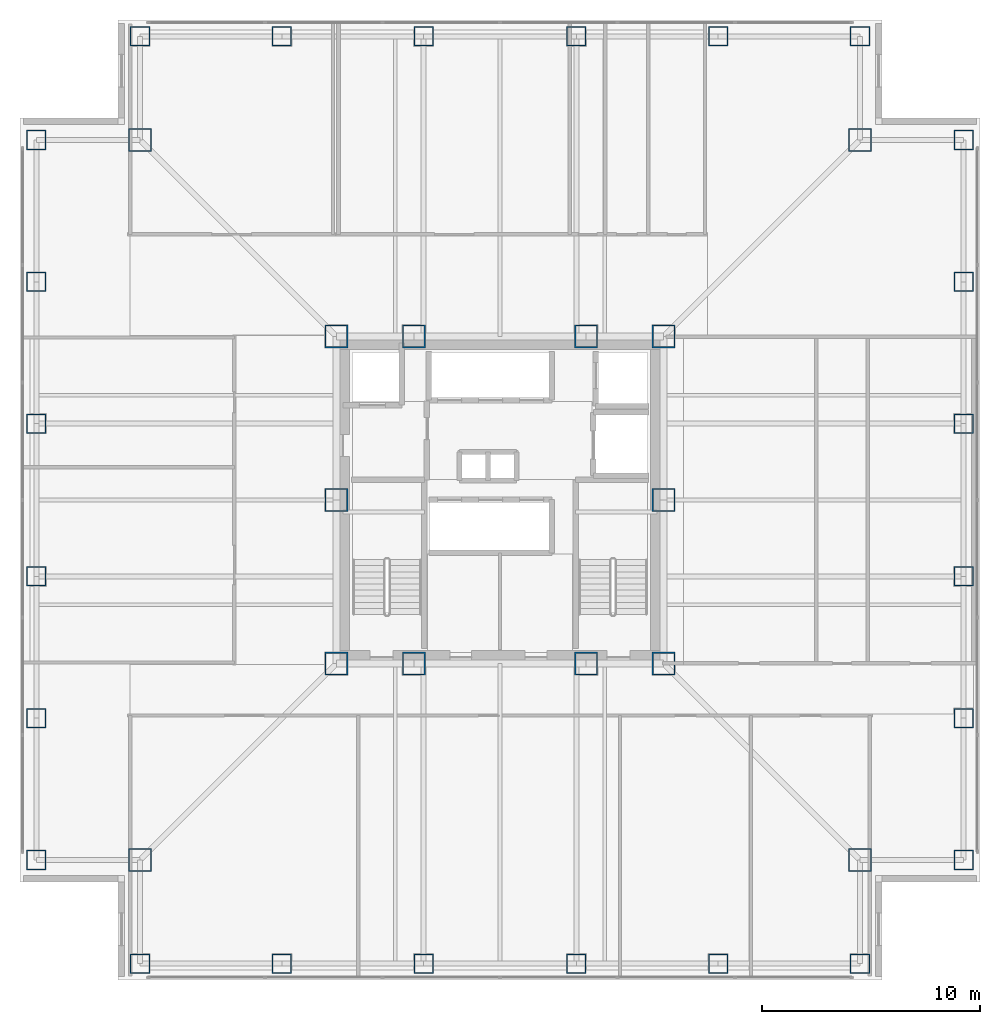
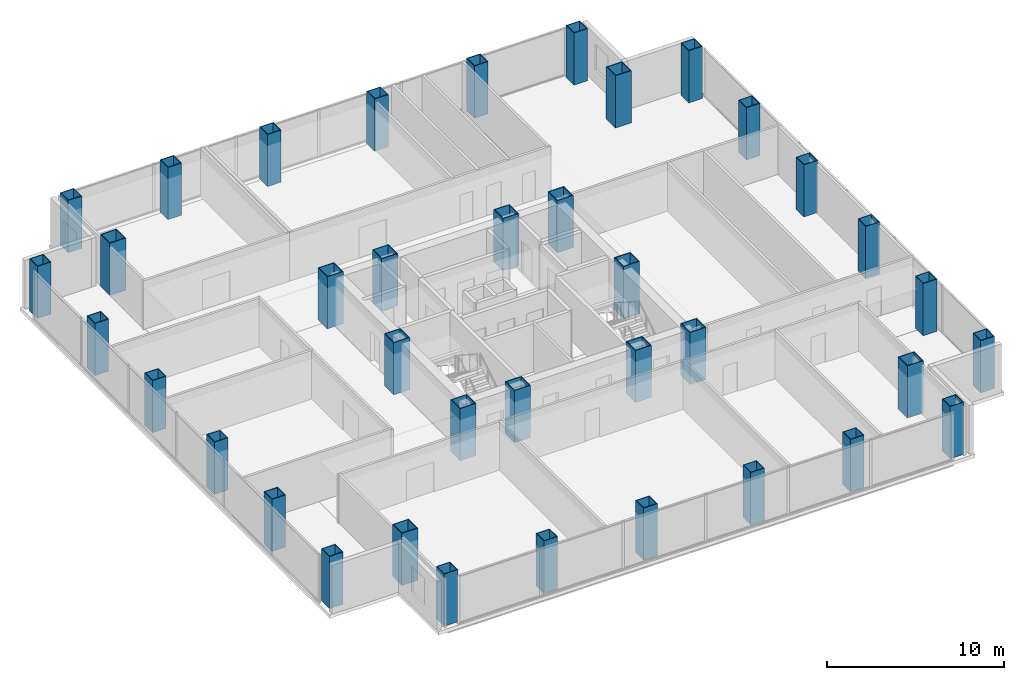
# One storey, part 1 of 14: 38 columns.
"""IFC4 building model written with IfcOpenShell, lengths in metres."""

from ifc_helpers import new_model, si_unit, direction, frame, origin, origin_2d, place, context, subcontext, project, spatial, hollow_rectangle, extrude, material, material_profile, profile_set, type_object, element, save


model = new_model("IFC4")

# Units and contexts
model_context = context("Model", 3, precision=1e-05, world=origin(), true_north=direction((0.0, 1.0)))
body_context = subcontext(model_context, "Body", "Model", "MODEL_VIEW")
ifc_project = project(units=[si_unit("LENGTHUNIT", "METRE"), si_unit("AREAUNIT", "SQUARE_METRE"), si_unit("VOLUMEUNIT", "CUBIC_METRE"), si_unit("PLANEANGLEUNIT", "RADIAN"), si_unit("MASSUNIT", "GRAM", prefix="KILO")], contexts=[model_context])

# Site, building, storey
site_placement = place(None, origin())
site = spatial("IfcSite", under=ifc_project, at=site_placement, CompositionType="ELEMENT")
building_placement = place(site_placement, origin())
building = spatial("IfcBuilding", under=site, at=building_placement, Name="Trevonay Congress Spire", CompositionType="ELEMENT")
storey_placement = place(building_placement, frame((0.0, 0.0, 119.199951171875)))
storey = spatial("IfcBuildingStorey", under=building, at=storey_placement, Name="L30", CompositionType="ELEMENT", Elevation=119.199951171875)

# Columns
ifc_material = material(Name="Steel ASTM A572 Grade 50", Category="steel")
ifc_material_profile_1 = material_profile(ifc_material, hollow_rectangle(XDim=1.050048828125, YDim=1.050048828125, WallThickness=0.050048828125, at=origin_2d()), Name="BOX 1050x1050x50")
ifc_profile_set_1 = profile_set([ifc_material_profile_1], Name="Steel ASTM A572 Grade 50")
column_type_1 = type_object("IfcColumnType", Name="COL-CORE-BOX1050", PredefinedType="COLUMN", material=ifc_profile_set_1)
for number, where, z_axis, x_axis, name in (
    (1, (-7.5, -7.5, 0.0), (0.0, 0.0, 1.0), (1.0, 0.0, 0.0), "L30 column C03 at CC-SW"),
    (2, (-3.949951171875, -7.5, 0.0), (0.0, 0.0, 1.0), (1.0, 0.0, 0.0), "L30 column C03 at CC-SMW"),
    (3, (3.949951171875, -7.5, 0.0), (0.0, 0.0, 1.0), (1.0, 0.0, 0.0), "L30 column C03 at CC-SME"),
    (4, (7.5, -7.5, 0.0), (0.0, 0.0, 1.0), (1.0, 0.0, 0.0), "L30 column C03 at CC-SE"),
    (5, (7.5, 0.0, 0.0), (0.0, 0.0, 1.0), (1.0, 0.0, 0.0), "L30 column C03 at CC-E"),
    (6, (7.5, 7.5, 0.0), (0.0, 0.0, 1.0), (1.0, 0.0, 0.0), "L30 column C03 at CC-NE"),
    (7, (3.949951171875, 7.5, 0.0), (0.0, 0.0, 1.0), (1.0, 0.0, 0.0), "L30 column C03 at CC-NME"),
    (8, (-3.949951171875, 7.5, 0.0), (0.0, 0.0, 1.0), (1.0, 0.0, 0.0), "L30 column C03 at CC-NMW"),
    (9, (-7.5, 7.5, 0.0), (0.0, 0.0, 1.0), (1.0, 0.0, 0.0), "L30 column C03 at CC-NW"),
    (10, (-7.5, 0.0, 0.0), (0.0, 0.0, 1.0), (1.0, 0.0, 0.0), "L30 column C03 at CC-W"),
):
    element("IfcColumn", number, at=place(storey_placement, frame(where, z_axis=z_axis, x_axis=x_axis)), inside=storey, type_object=column_type_1, Name=name, PredefinedType="COLUMN", context=body_context, shape_type="SweptSolid", body=[
        extrude(hollow_rectangle(XDim=1.050048828125, YDim=1.050048828125, WallThickness=0.050048828125, at=origin_2d()), origin(), (0.0, 0.0, 1.0), 3.60009765625),
    ])
ifc_material_profile_2 = material_profile(ifc_material, hollow_rectangle(XDim=1.050048828125, YDim=1.050048828125, WallThickness=0.050048828125, at=origin_2d()), Name="BOX 1050x1050x50")
ifc_profile_set_2 = profile_set([ifc_material_profile_2], Name="Steel ASTM A572 Grade 50")
column_type_2 = type_object("IfcColumnType", Name="COL-TUBE-BOX1050", PredefinedType="COLUMN", material=ifc_profile_set_2)
for number, where, z_axis, x_axis, name in (
    (11, (-16.5, -16.5, 0.0), (0.0, 0.0, 1.0), (1.0, 0.0, 0.0), "L30 column C14 at NC-SW"),
    (12, (16.5, -16.5, 0.0), (0.0, 0.0, 1.0), (1.0, 0.0, 0.0), "L30 column C14 at NC-SE"),
    (13, (16.5, 16.5, 0.0), (0.0, 0.0, 1.0), (1.0, 0.0, 0.0), "L30 column C14 at NC-NE"),
    (14, (-16.5, 16.5, 0.0), (0.0, 0.0, 1.0), (1.0, 0.0, 0.0), "L30 column C14 at NC-NW"),
):
    element("IfcColumn", number, at=place(storey_placement, frame(where, z_axis=z_axis, x_axis=x_axis)), inside=storey, type_object=column_type_2, Name=name, PredefinedType="COLUMN", context=body_context, shape_type="SweptSolid", body=[
        extrude(hollow_rectangle(XDim=1.050048828125, YDim=1.050048828125, WallThickness=0.050048828125, at=origin_2d()), origin(), (0.0, 0.0, 1.0), 3.60009765625),
    ])
ifc_material_profile_3 = material_profile(ifc_material, hollow_rectangle(XDim=0.89990234375, YDim=0.89990234375, WallThickness=0.044921875, at=origin_2d()), Name="BOX 900x900x45")
ifc_profile_set_3 = profile_set([ifc_material_profile_3], Name="Steel ASTM A572 Grade 50")
column_type_3 = type_object("IfcColumnType", Name="COL-TUBE-BOX900", PredefinedType="COLUMN", material=ifc_profile_set_3)
for number, where, z_axis, x_axis, name in (
    (15, (-16.5, -21.25, 0.0), (0.0, 0.0, 1.0), (1.0, 0.0, 0.0), "L30 column C15 at TS-1"),
    (16, (-16.5, 21.25, 0.0), (0.0, 0.0, 1.0), (1.0, 0.0, 0.0), "L30 column C15 at TN-1"),
    (17, (-21.25, -16.5, 0.0), (0.0, 0.0, 1.0), (1.0, 0.0, 0.0), "L30 column C15 at TW-1"),
    (18, (21.25, -16.5, 0.0), (0.0, 0.0, 1.0), (1.0, 0.0, 0.0), "L30 column C15 at TE-1"),
    (19, (-10.0, -21.25, 0.0), (0.0, 0.0, 1.0), (1.0, 0.0, 0.0), "L30 column C15 at TS-2"),
    (20, (-10.0, 21.25, 0.0), (0.0, 0.0, 1.0), (1.0, 0.0, 0.0), "L30 column C15 at TN-2"),
    (21, (-21.25, -10.0, 0.0), (0.0, 0.0, 1.0), (1.0, 0.0, 0.0), "L30 column C15 at TW-2"),
    (22, (21.25, -10.0, 0.0), (0.0, 0.0, 1.0), (1.0, 0.0, 0.0), "L30 column C15 at TE-2"),
    (23, (-3.5, -21.25, 0.0), (0.0, 0.0, 1.0), (1.0, 0.0, 0.0), "L30 column C15 at TS-3"),
    (24, (-3.5, 21.25, 0.0), (0.0, 0.0, 1.0), (1.0, 0.0, 0.0), "L30 column C15 at TN-3"),
    (25, (-21.25, -3.5, 0.0), (0.0, 0.0, 1.0), (1.0, 0.0, 0.0), "L30 column C15 at TW-3"),
    (26, (21.25, -3.5, 0.0), (0.0, 0.0, 1.0), (1.0, 0.0, 0.0), "L30 column C15 at TE-3"),
    (27, (3.5, -21.25, 0.0), (0.0, 0.0, 1.0), (1.0, 0.0, 0.0), "L30 column C15 at TS-4"),
    (28, (3.5, 21.25, 0.0), (0.0, 0.0, 1.0), (1.0, 0.0, 0.0), "L30 column C15 at TN-4"),
    (29, (-21.25, 3.5, 0.0), (0.0, 0.0, 1.0), (1.0, 0.0, 0.0), "L30 column C15 at TW-4"),
    (30, (21.25, 3.5, 0.0), (0.0, 0.0, 1.0), (1.0, 0.0, 0.0), "L30 column C15 at TE-4"),
    (31, (10.0, -21.25, 0.0), (0.0, 0.0, 1.0), (1.0, 0.0, 0.0), "L30 column C15 at TS-5"),
    (32, (10.0, 21.25, 0.0), (0.0, 0.0, 1.0), (1.0, 0.0, 0.0), "L30 column C15 at TN-5"),
    (33, (-21.25, 10.0, 0.0), (0.0, 0.0, 1.0), (1.0, 0.0, 0.0), "L30 column C15 at TW-5"),
    (34, (21.25, 10.0, 0.0), (0.0, 0.0, 1.0), (1.0, 0.0, 0.0), "L30 column C15 at TE-5"),
    (35, (16.5, -21.25, 0.0), (0.0, 0.0, 1.0), (1.0, 0.0, 0.0), "L30 column C15 at TS-6"),
    (36, (16.5, 21.25, 0.0), (0.0, 0.0, 1.0), (1.0, 0.0, 0.0), "L30 column C15 at TN-6"),
    (37, (-21.25, 16.5, 0.0), (0.0, 0.0, 1.0), (1.0, 0.0, 0.0), "L30 column C15 at TW-6"),
    (38, (21.25, 16.5, 0.0), (0.0, 0.0, 1.0), (1.0, 0.0, 0.0), "L30 column C15 at TE-6"),
):
    element("IfcColumn", number, at=place(storey_placement, frame(where, z_axis=z_axis, x_axis=x_axis)), inside=storey, type_object=column_type_3, Name=name, PredefinedType="COLUMN", context=body_context, shape_type="SweptSolid", body=[
        extrude(hollow_rectangle(XDim=0.89990234375, YDim=0.89990234375, WallThickness=0.044921875, at=origin_2d()), origin(), (0.0, 0.0, 1.0), 3.60009765625),
    ])

save(model, "model.ifc")
